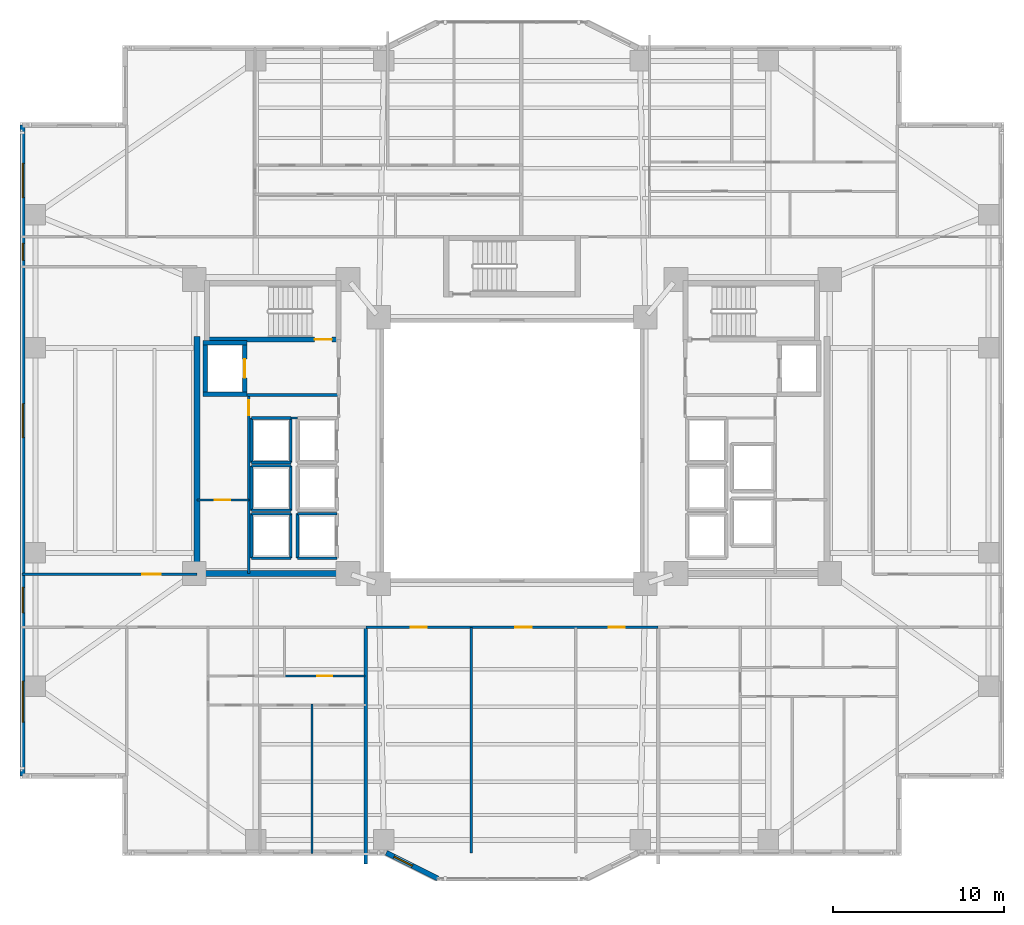
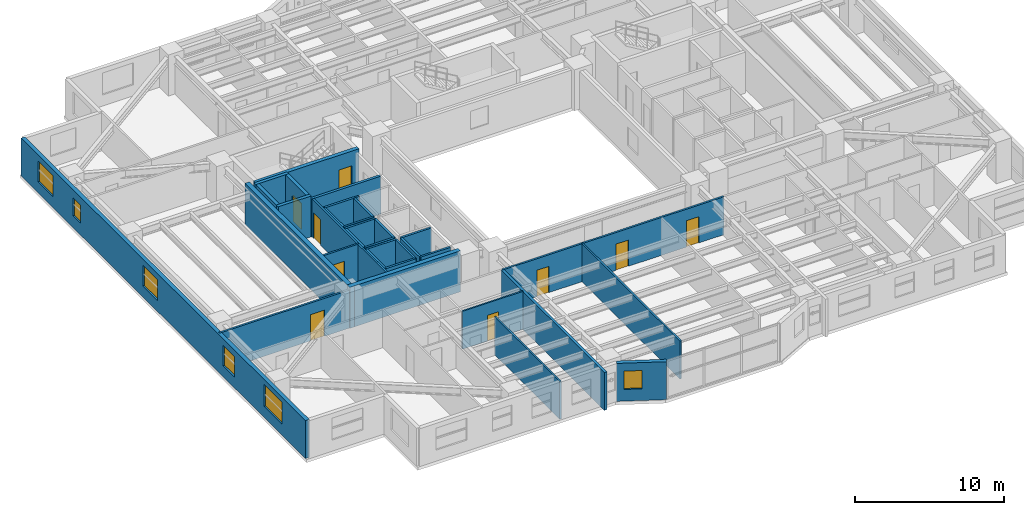
# One storey, part 10 of 20: 34 walls, 9 doors, 6 windows, 15 openings.
"""IFC4 building model written with IfcOpenShell, lengths in metres."""

from ifc_helpers import new_model, si_unit, direction, frame, frame_2d, origin, place, context, subcontext, project, spatial, rectangle, extrude, material, layer, layer_set, type_object, element, fill, save


model = new_model("IFC4")

# Units and contexts
model_context = context("Model", 3, precision=1e-05, world=origin(), true_north=direction((0.0, 1.0)))
body_context = subcontext(model_context, "Body", "Model", "MODEL_VIEW")
ifc_project = project(units=[si_unit("LENGTHUNIT", "METRE"), si_unit("AREAUNIT", "SQUARE_METRE"), si_unit("VOLUMEUNIT", "CUBIC_METRE"), si_unit("PLANEANGLEUNIT", "RADIAN"), si_unit("MASSUNIT", "GRAM", prefix="KILO")], contexts=[model_context])

# Site, building, storey
site_placement = place(None, origin())
site = spatial("IfcSite", under=ifc_project, at=site_placement, CompositionType="ELEMENT")
building_placement = place(site_placement, origin())
building = spatial("IfcBuilding", under=site, at=building_placement, Name="Tarnavaz Court Tower", CompositionType="ELEMENT")
storey_placement = place(building_placement, frame((0.0, 0.0, 30.699951171875)))
storey = spatial("IfcBuildingStorey", under=building, at=storey_placement, Name="L07", CompositionType="ELEMENT", Elevation=30.699951171875)

# Wall
ifc_material_1 = material(Name="Concrete C60/75", Category="concrete")
ifc_layer_1 = layer(ifc_material_1, 0.25)
ifc_layer_set_1 = layer_set([ifc_layer_1], Name="Concrete C60/75")
wall_type_1 = type_object("IfcWallType", Name="WL-CORE-250-C60", PredefinedType="SHEAR", material=ifc_layer_set_1)
wall_1_placement = place(storey_placement, frame((-17.949951171875, 3.175048828125, 0.0), z_axis=(0.0, 0.0, 1.0), x_axis=(0.0, 1.0, 0.0)))
element("IfcWall", 1, at=wall_1_placement, inside=storey, type_object=wall_type_1, Name="L07 Lift FL-W1 Shaft Wall 017", PredefinedType="SHEAR", context=body_context, shape_type="SweptSolid", body=[
    extrude(rectangle(XDim=3.25, YDim=0.25, at=frame_2d((1.625, 0.0))), origin(), (0.0, 0.0, 1.0), 3.35009765625),
])

# Wall, opening, door
wall_2_placement = place(storey_placement, frame((-15.64990234375, 3.175048828125, 0.0), z_axis=(0.0, 0.0, 1.0), x_axis=(0.0, 1.0, 0.0)))
wall_2 = element("IfcWall", 2, at=wall_2_placement, inside=storey, type_object=wall_type_1, Name="L07 Lift FL-W1 Shaft Wall 018", PredefinedType="SHEAR", context=body_context, shape_type="SweptSolid", body=[
    extrude(rectangle(XDim=3.25, YDim=0.25, at=frame_2d((1.625, 0.0))), origin(), (0.0, 0.0, 1.0), 3.35009765625),
])
opening_1_placement = place(wall_2_placement, frame((1.074951171875, 0.0, 0.0)))
opening_1 = element("IfcOpeningElement", 3, at=opening_1_placement, cuts=wall_2, Name="Opening LD1", PredefinedType="OPENING", context=body_context, shape_type="SweptSolid", body=[
    extrude(rectangle(XDim=1.10009765625, YDim=2.14990234375, at=frame_2d((0.550048828125, 1.074951171875))), frame((0.0, 0.135009765625, 0.0), z_axis=(0.0, -1.0, 0.0), x_axis=(1.0, 0.0, 0.0)), (0.0, 0.0, 1.0), 0.27001953125),
])
ifc_material_2 = material(Name="Stainless Steel", Category="steel")
door_type_1 = type_object("IfcDoorType", Name="DR-LD-1100", OperationType="NOTDEFINED", PredefinedType="DOOR", material=ifc_material_2)
door_1_placement = place(opening_1_placement, origin())
door_1 = element("IfcDoor", 4, at=door_1_placement, inside=storey, type_object=door_type_1, Name="L07 Lift Landing Door LD-FL-W1", OperationType="SLIDING_TO_LEFT", OverallHeight=2.14990234375, OverallWidth=1.10009765625, PredefinedType="DOOR", context=body_context, shape_type="SweptSolid", body=[
    extrude(rectangle(XDim=1.10009765625, YDim=2.14990234375, at=frame_2d((0.550048828125, 1.074951171875))), frame((0.0, 0.02490234375, 0.0), z_axis=(0.0, -1.0, 0.0), x_axis=(1.0, 0.0, 0.0)), (0.0, 0.0, 1.0), 0.050048828125),
])
fill(opening_1, door_1)

# Walls
for number, where, z_axis, x_axis, name in (
    (5, (-18.074951171875, 3.300048828125, 0.0), (0.0, 0.0, 1.0), (1.0, 0.0, 0.0), "L07 Lift FL-W1 Shaft Wall 019"),
    (6, (-18.074951171875, 6.300048828125, 0.0), (0.0, 0.0, 1.0), (1.0, 0.0, 0.0), "L07 Lift FL-W1 Shaft Wall 020"),
):
    element("IfcWall", number, at=place(storey_placement, frame(where, z_axis=z_axis, x_axis=x_axis)), inside=storey, type_object=wall_type_1, Name=name, PredefinedType="SHEAR", context=body_context, shape_type="SweptSolid", body=[
        extrude(rectangle(XDim=2.550048828125, YDim=0.25, at=frame_2d((1.27490234375, 0.0))), origin(), (0.0, 0.0, 1.0), 3.35009765625),
    ])

# Wall, opening, door
ifc_layer_2 = layer(ifc_material_1, 0.300048828125)
ifc_layer_set_2 = layer_set([ifc_layer_2], Name="Concrete C60/75")
wall_type_2 = type_object("IfcWallType", Name="WL-CORE-300-C60", PredefinedType="SHEAR", material=ifc_layer_set_2)
wall_3_placement = place(storey_placement, frame((-18.0, 6.5, 0.0), z_axis=(0.0, 0.0, 1.0), x_axis=(1.0, 0.0, 0.0)))
wall_3 = element("IfcWall", 7, at=wall_3_placement, inside=storey, type_object=wall_type_2, Name="L07 West Stair Core Wall 002", PredefinedType="SHEAR", context=body_context, shape_type="SweptSolid", body=[
    extrude(rectangle(XDim=8.0, YDim=0.300048828125, at=frame_2d((4.0, 0.0))), origin(), (0.0, 0.0, 1.0), 3.35009765625),
])
opening_2_placement = place(wall_3_placement, frame((6.449951171875, 0.0, 0.0)))
opening_2 = element("IfcOpeningElement", 8, at=opening_2_placement, cuts=wall_3, Name="Opening D01", PredefinedType="OPENING", context=body_context, shape_type="SweptSolid", body=[
    extrude(rectangle(XDim=1.0, YDim=2.14990234375, at=frame_2d((0.5, 1.074951171875))), frame((0.0, 0.159912109375, 0.0), z_axis=(0.0, -1.0, 0.0), x_axis=(1.0, 0.0, 0.0)), (0.0, 0.0, 1.0), 0.320068359375),
])
ifc_material_3 = material(Name="Fire-Rated Hardwood Timber Core", Category="wood")
door_type_2 = type_object("IfcDoorType", Name="DR-FD90-1000", OperationType="NOTDEFINED", PredefinedType="DOOR", material=ifc_material_3)
door_2_placement = place(opening_2_placement, origin())
door_2 = element("IfcDoor", 9, at=door_2_placement, inside=storey, type_object=door_type_2, Name="L07 Stair ST-W1 Exit Door", OperationType="SINGLE_SWING_LEFT", OverallHeight=2.14990234375, OverallWidth=1.0, PredefinedType="DOOR", context=body_context, shape_type="SweptSolid", body=[
    extrude(rectangle(XDim=1.0, YDim=2.14990234375, at=frame_2d((0.5, 1.074951171875))), frame((0.0, 0.02490234375, 0.0), z_axis=(0.0, -1.0, 0.0), x_axis=(1.0, 0.0, 0.0)), (0.0, 0.0, 1.0), 0.050048828125),
])
fill(opening_2, door_2)

# Walls
ifc_layer_3 = layer(ifc_material_1, 0.35009765625)
ifc_layer_set_3 = layer_set([ifc_layer_3], Name="Concrete C60/75")
wall_type_3 = type_object("IfcWallType", Name="WL-CORE-350-C60", PredefinedType="SHEAR", material=ifc_layer_set_3)
wall_4_placement = place(storey_placement, frame((-18.449951171875, -7.375, 0.0), z_axis=(0.0, 0.0, 1.0), x_axis=(0.0, 1.0, 0.0)))
element("IfcWall", 10, at=wall_4_placement, inside=storey, type_object=wall_type_3, Name="L07 West Core Shear Wall 069", PredefinedType="SHEAR", context=body_context, shape_type="SweptSolid", body=[
    extrude(rectangle(XDim=14.050048828125, YDim=0.35009765625, at=frame_2d((7.02490234375, 0.0))), origin(), (0.0, 0.0, 1.0), 3.35009765625),
])
wall_5_placement = place(storey_placement, frame((-18.625, -7.199951171875, 0.0), z_axis=(0.0, 0.0, 1.0), x_axis=(1.0, 0.0, 0.0)))
element("IfcWall", 11, at=wall_5_placement, inside=storey, type_object=wall_type_3, Name="L07 West Core South Shear Wall 070", PredefinedType="SHEAR", context=body_context, shape_type="SweptSolid", body=[
    extrude(rectangle(XDim=8.550048828125, YDim=0.35009765625, at=frame_2d((4.27490234375, 0.0))), origin(), (0.0, 0.0, 1.0), 3.35009765625),
])

# Wall, openings, windows
ifc_material_4 = material(Name="Precast Concrete C40/50", Category="concrete")
ifc_layer_4 = layer(ifc_material_4, 0.300048828125)
ifc_layer_set_4 = layer_set([ifc_layer_4], Name="Precast Concrete C40/50")
wall_type_4 = type_object("IfcWallType", Name="WL-EXT-300", PredefinedType="SOLIDWALL", material=ifc_layer_set_4)
wall_6_placement = place(storey_placement, frame((-28.64990234375, -19.050048828125, 0.0), z_axis=(0.0, 0.0, 1.0), x_axis=(0.0, 1.0, 0.0)))
wall_6 = element("IfcWall", 12, at=wall_6_placement, inside=storey, type_object=wall_type_4, Name="L07 Exterior Terracotta Facade Wall 02", PredefinedType="SOLIDWALL", context=body_context, shape_type="SweptSolid", body=[
    extrude(rectangle(XDim=38.10009765625, YDim=0.300048828125, at=frame_2d((19.050048828125, 0.0))), origin(), (0.0, 0.0, 1.0), 3.10009765625),
])
opening_3_placement = place(wall_6_placement, frame((3.14990234375, 0.0, 0.89990234375)))
opening_3 = element("IfcOpeningElement", 13, at=opening_3_placement, cuts=wall_6, Name="Opening W06", PredefinedType="OPENING", context=body_context, shape_type="SweptSolid", body=[
    extrude(rectangle(XDim=2.39990234375, YDim=1.800048828125, at=frame_2d((1.199951171875, 0.89990234375))), frame((0.0, 0.159912109375, 0.0), z_axis=(0.0, -1.0, 0.0), x_axis=(1.0, 0.0, 0.0)), (0.0, 0.0, 1.0), 0.320068359375),
])
opening_4_placement = place(wall_6_placement, frame((9.54248046875, 0.0, 0.89990234375)))
opening_4 = element("IfcOpeningElement", 14, at=opening_4_placement, cuts=wall_6, Name="Opening W03", PredefinedType="OPENING", context=body_context, shape_type="SweptSolid", body=[
    extrude(rectangle(XDim=1.5, YDim=1.64990234375, at=frame_2d((0.75, 0.824951171875))), frame((0.0, 0.159912109375, 0.0), z_axis=(0.0, -1.0, 0.0), x_axis=(1.0, 0.0, 0.0)), (0.0, 0.0, 1.0), 0.320068359375),
])
opening_5_placement = place(wall_6_placement, frame((19.800048828125, 0.0, 0.89990234375)))
opening_5 = element("IfcOpeningElement", 15, at=opening_5_placement, cuts=wall_6, Name="Opening W08", PredefinedType="OPENING", context=body_context, shape_type="SweptSolid", body=[
    extrude(rectangle(XDim=2.0, YDim=1.699951171875, at=frame_2d((1.0, 0.85009765625))), frame((0.0, 0.159912109375, 0.0), z_axis=(0.0, -1.0, 0.0), x_axis=(1.0, 0.0, 0.0)), (0.0, 0.0, 1.0), 0.320068359375),
])
opening_6_placement = place(wall_6_placement, frame((30.175048828125, 0.0, 0.949951171875)))
opening_6 = element("IfcOpeningElement", 16, at=opening_6_placement, cuts=wall_6, Name="Opening W14", PredefinedType="OPENING", context=body_context, shape_type="SweptSolid", body=[
    extrude(rectangle(XDim=1.0, YDim=1.5, at=frame_2d((0.5, 0.75))), frame((0.0, 0.159912109375, 0.0), z_axis=(0.0, -1.0, 0.0), x_axis=(1.0, 0.0, 0.0)), (0.0, 0.0, 1.0), 0.320068359375),
])
opening_7_placement = place(wall_6_placement, frame((33.85009765625, 0.0, 0.89990234375)))
opening_7 = element("IfcOpeningElement", 17, at=opening_7_placement, cuts=wall_6, Name="Opening W08", PredefinedType="OPENING", context=body_context, shape_type="SweptSolid", body=[
    extrude(rectangle(XDim=2.0, YDim=1.699951171875, at=frame_2d((1.0, 0.85009765625))), frame((0.0, 0.159912109375, 0.0), z_axis=(0.0, -1.0, 0.0), x_axis=(1.0, 0.0, 0.0)), (0.0, 0.0, 1.0), 0.320068359375),
])
ifc_material_5 = material(Name="Double-Glazed Solar Low-E Glass", Category="glass")
window_type_1 = type_object("IfcWindowType", Name="WN-APT-1000", PartitioningType="SINGLE_PANEL", PredefinedType="WINDOW", material=ifc_material_5)
window_1_placement = place(opening_6_placement, origin())
window_1 = element("IfcWindow", 18, at=window_1_placement, inside=storey, type_object=window_type_1, Name="L07 North-West Corner Corridor Window", OverallHeight=1.5, OverallWidth=1.0, PartitioningType="SINGLE_PANEL", PredefinedType="WINDOW", context=body_context, shape_type="SweptSolid", body=[
    extrude(rectangle(XDim=1.0, YDim=1.5, at=frame_2d((0.5, 0.75))), frame((0.0, 0.030029296875, 0.0), z_axis=(0.0, -1.0, 0.0), x_axis=(1.0, 0.0, 0.0)), (0.0, 0.0, 1.0), 0.06005859375),
])
fill(opening_6, window_1)
window_type_2 = type_object("IfcWindowType", Name="WN-APT-1500", PartitioningType="DOUBLE_PANEL_VERTICAL", PredefinedType="WINDOW", material=ifc_material_5)
window_2_placement = place(opening_4_placement, origin())
window_2 = element("IfcWindow", 19, at=window_2_placement, inside=storey, type_object=window_type_2, Name="L07 South-West Corner Corridor Window", OverallHeight=1.64990234375, OverallWidth=1.5, PartitioningType="SINGLE_PANEL", PredefinedType="WINDOW", context=body_context, shape_type="SweptSolid", body=[
    extrude(rectangle(XDim=1.5, YDim=1.64990234375, at=frame_2d((0.75, 0.824951171875))), frame((0.0, 0.030029296875, 0.0), z_axis=(0.0, -1.0, 0.0), x_axis=(1.0, 0.0, 0.0)), (0.0, 0.0, 1.0), 0.06005859375),
])
fill(opening_4, window_2)
window_type_3 = type_object("IfcWindowType", Name="WN-APT-2000", PartitioningType="DOUBLE_PANEL_VERTICAL", PredefinedType="WINDOW", material=ifc_material_5)
window_3_placement = place(opening_5_placement, origin())
window_3 = element("IfcWindow", 20, at=window_3_placement, inside=storey, type_object=window_type_3, Name="L07 West Wing Panoramic Study Gallery Window", OverallHeight=1.699951171875, OverallWidth=2.0, PartitioningType="SINGLE_PANEL", PredefinedType="WINDOW", context=body_context, shape_type="SweptSolid", body=[
    extrude(rectangle(XDim=2.0, YDim=1.699951171875, at=frame_2d((1.0, 0.85009765625))), frame((0.0, 0.030029296875, 0.0), z_axis=(0.0, -1.0, 0.0), x_axis=(1.0, 0.0, 0.0)), (0.0, 0.0, 1.0), 0.06005859375),
])
fill(opening_5, window_3)
window_4_placement = place(opening_7_placement, origin())
window_4 = element("IfcWindow", 21, at=window_4_placement, inside=storey, type_object=window_type_3, Name="L07 North-West Corner Sunroom Study Window", OverallHeight=1.699951171875, OverallWidth=2.0, PartitioningType="SINGLE_PANEL", PredefinedType="WINDOW", context=body_context, shape_type="SweptSolid", body=[
    extrude(rectangle(XDim=2.0, YDim=1.699951171875, at=frame_2d((1.0, 0.85009765625))), frame((0.0, 0.030029296875, 0.0), z_axis=(0.0, -1.0, 0.0), x_axis=(1.0, 0.0, 0.0)), (0.0, 0.0, 1.0), 0.06005859375),
])
fill(opening_7, window_4)
window_type_4 = type_object("IfcWindowType", Name="WN-APT-2400", PartitioningType="TRIPLE_PANEL_VERTICAL", PredefinedType="WINDOW", material=ifc_material_5)
window_5_placement = place(opening_3_placement, origin())
window_5 = element("IfcWindow", 22, at=window_5_placement, inside=storey, type_object=window_type_4, Name="L07 South-West Corner Reading Room Window", OverallHeight=1.800048828125, OverallWidth=2.39990234375, PartitioningType="SINGLE_PANEL", PredefinedType="WINDOW", context=body_context, shape_type="SweptSolid", body=[
    extrude(rectangle(XDim=2.39990234375, YDim=1.800048828125, at=frame_2d((1.199951171875, 0.89990234375))), frame((0.0, 0.030029296875, 0.0), z_axis=(0.0, -1.0, 0.0), x_axis=(1.0, 0.0, 0.0)), (0.0, 0.0, 1.0), 0.06005859375),
])
fill(opening_3, window_5)

# Wall, opening, window
wall_7_placement = place(storey_placement, frame((-4.35009765625, -25.050048828125, 0.0), z_axis=(0.0, 0.0, 1.0), x_axis=(-0.894427191, 0.4472135955, 0.0)))
wall_7 = element("IfcWall", 23, at=wall_7_placement, inside=storey, type_object=wall_type_4, Name="L07 Exterior Terracotta Facade Wall 18", PredefinedType="SOLIDWALL", context=body_context, shape_type="SweptSolid", body=[
    extrude(rectangle(XDim=3.35400390625, YDim=0.300048828125, at=frame_2d((1.677001953125, 0.0))), origin(), (0.0, 0.0, 1.0), 3.10009765625),
])
opening_8_placement = place(wall_7_placement, frame((1.65283203125, 0.0, 0.949951171875)))
opening_8 = element("IfcOpeningElement", 24, at=opening_8_placement, cuts=wall_7, Name="Opening W05", PredefinedType="OPENING", context=body_context, shape_type="SweptSolid", body=[
    extrude(rectangle(XDim=1.199951171875, YDim=1.5, at=frame_2d((0.60009765625, 0.75))), frame((0.0, 0.159912109375, 0.0), z_axis=(0.0, -1.0, 0.0), x_axis=(1.0, 0.0, 0.0)), (0.0, 0.0, 1.0), 0.320068359375),
])
window_type_5 = type_object("IfcWindowType", Name="WN-APT-1200", PartitioningType="SINGLE_PANEL", PredefinedType="WINDOW", material=ifc_material_5)
window_6_placement = place(opening_8_placement, origin())
window_6 = element("IfcWindow", 25, at=window_6_placement, inside=storey, type_object=window_type_5, Name="L07 Resident Fitness and Yoga Studio Window", OverallHeight=1.5, OverallWidth=1.199951171875, PartitioningType="SINGLE_PANEL", PredefinedType="WINDOW", context=body_context, shape_type="SweptSolid", body=[
    extrude(rectangle(XDim=1.199951171875, YDim=1.5, at=frame_2d((0.60009765625, 0.75))), frame((0.0, 0.030029296875, 0.0), z_axis=(0.0, -1.0, 0.0), x_axis=(1.0, 0.0, 0.0)), (0.0, 0.0, 1.0), 0.06005859375),
])
fill(opening_8, window_6)

# Wall, openings, doors
ifc_material_6 = material(Name="Gypsum Fire-Board on Acoustic Metal Stud", Category="masonry")
ifc_layer_5 = layer(ifc_material_6, 0.14990234375)
ifc_layer_set_5 = layer_set([ifc_layer_5], Name="Gypsum Fire-Board on Acoustic Metal Stud")
wall_type_5 = type_object("IfcWallType", Name="WL-FIRE-150", PredefinedType="PARTITIONING", material=ifc_layer_set_5)
wall_8_placement = place(storey_placement, frame((-8.550048828125, -10.35009765625, 0.0), z_axis=(0.0, 0.0, 1.0), x_axis=(1.0, 0.0, 0.0)))
wall_8 = element("IfcWall", 26, at=wall_8_placement, inside=storey, type_object=wall_type_5, Name="L07 South Ring Corridor Wall 085", PredefinedType="PARTITIONING", context=body_context, shape_type="SweptSolid", body=[
    extrude(rectangle(XDim=17.10009765625, YDim=0.14990234375, at=frame_2d((8.550048828125, 0.0))), origin(), (0.0, 0.0, 1.0), 3.10009765625),
])
opening_9_placement = place(wall_8_placement, frame((2.617919921875, 0.0, 0.0)))
opening_9 = element("IfcOpeningElement", 27, at=opening_9_placement, cuts=wall_8, Name="Opening D13", PredefinedType="OPENING", context=body_context, shape_type="SweptSolid", body=[
    extrude(rectangle(XDim=0.949951171875, YDim=2.14990234375, at=frame_2d((0.47509765625, 1.074951171875))), frame((0.0, 0.0849609375, 0.0), z_axis=(0.0, -1.0, 0.0), x_axis=(1.0, 0.0, 0.0)), (0.0, 0.0, 1.0), 0.169921875),
])
opening_10_placement = place(wall_8_placement, frame((8.75390625, 0.0, 0.0)))
opening_10 = element("IfcOpeningElement", 28, at=opening_10_placement, cuts=wall_8, Name="Opening D13", PredefinedType="OPENING", context=body_context, shape_type="SweptSolid", body=[
    extrude(rectangle(XDim=0.949951171875, YDim=2.14990234375, at=frame_2d((0.47509765625, 1.074951171875))), frame((0.0, 0.0849609375, 0.0), z_axis=(0.0, -1.0, 0.0), x_axis=(1.0, 0.0, 0.0)), (0.0, 0.0, 1.0), 0.169921875),
])
opening_11_placement = place(wall_8_placement, frame((14.2109375, 0.0, 0.0)))
opening_11 = element("IfcOpeningElement", 29, at=opening_11_placement, cuts=wall_8, Name="Opening D13", PredefinedType="OPENING", context=body_context, shape_type="SweptSolid", body=[
    extrude(rectangle(XDim=0.949951171875, YDim=2.14990234375, at=frame_2d((0.47509765625, 1.074951171875))), frame((0.0, 0.0849609375, 0.0), z_axis=(0.0, -1.0, 0.0), x_axis=(1.0, 0.0, 0.0)), (0.0, 0.0, 1.0), 0.169921875),
])
ifc_material_7 = material(Name="Engineered Oak Timber", Category="wood")
door_type_3 = type_object("IfcDoorType", Name="DR-INT-950", OperationType="NOTDEFINED", PredefinedType="DOOR", material=ifc_material_7)
door_3_placement = place(opening_9_placement, origin())
door_3 = element("IfcDoor", 30, at=door_3_placement, inside=storey, type_object=door_type_3, Name="L07 Resident Fitness and Yoga Studio Door", OperationType="SINGLE_SWING_RIGHT", OverallHeight=2.14990234375, OverallWidth=0.949951171875, PredefinedType="DOOR", context=body_context, shape_type="SweptSolid", body=[
    extrude(rectangle(XDim=0.949951171875, YDim=2.14990234375, at=frame_2d((0.47509765625, 1.074951171875))), frame((0.0, 0.02490234375, 0.0), z_axis=(0.0, -1.0, 0.0), x_axis=(1.0, 0.0, 0.0)), (0.0, 0.0, 1.0), 0.050048828125),
])
fill(opening_9, door_3)
door_4_placement = place(opening_10_placement, origin())
door_4 = element("IfcDoor", 31, at=door_4_placement, inside=storey, type_object=door_type_3, Name="L07 Children Playroom and Daycare Door", OperationType="SINGLE_SWING_LEFT", OverallHeight=2.14990234375, OverallWidth=0.949951171875, PredefinedType="DOOR", context=body_context, shape_type="SweptSolid", body=[
    extrude(rectangle(XDim=0.949951171875, YDim=2.14990234375, at=frame_2d((0.47509765625, 1.074951171875))), frame((0.0, 0.02490234375, 0.0), z_axis=(0.0, -1.0, 0.0), x_axis=(1.0, 0.0, 0.0)), (0.0, 0.0, 1.0), 0.050048828125),
])
fill(opening_10, door_4)
door_5_placement = place(opening_11_placement, origin())
door_5 = element("IfcDoor", 32, at=door_5_placement, inside=storey, type_object=door_type_3, Name="L07 Shared Community Tea Pantry Door", OperationType="SINGLE_SWING_RIGHT", OverallHeight=2.14990234375, OverallWidth=0.949951171875, PredefinedType="DOOR", context=body_context, shape_type="SweptSolid", body=[
    extrude(rectangle(XDim=0.949951171875, YDim=2.14990234375, at=frame_2d((0.47509765625, 1.074951171875))), frame((0.0, 0.02490234375, 0.0), z_axis=(0.0, -1.0, 0.0), x_axis=(1.0, 0.0, 0.0)), (0.0, 0.0, 1.0), 0.050048828125),
])
fill(opening_11, door_5)

# Wall, opening, door
wall_9_placement = place(storey_placement, frame((-28.679931640625, -7.25, 0.0), z_axis=(0.0, 0.0, 1.0), x_axis=(1.0, 0.0, 0.0)))
wall_9 = element("IfcWall", 33, at=wall_9_placement, inside=storey, type_object=wall_type_5, Name="L07 Interior Partition 121", PredefinedType="PARTITIONING", context=body_context, shape_type="SweptSolid", body=[
    extrude(rectangle(XDim=10.22998046875, YDim=0.14990234375, at=frame_2d((5.114990234375, 0.0))), origin(), (0.0, 0.0, 1.0), 3.10009765625),
])
opening_12_placement = place(wall_9_placement, frame((7.030029296875, 0.0, 0.0)))
opening_12 = element("IfcOpeningElement", 34, at=opening_12_placement, cuts=wall_9, Name="Opening D12", PredefinedType="OPENING", context=body_context, shape_type="SweptSolid", body=[
    extrude(rectangle(XDim=1.080078125, YDim=2.14990234375, at=frame_2d((0.5400390625, 1.074951171875))), frame((0.0, 0.0849609375, 0.0), z_axis=(0.0, -1.0, 0.0), x_axis=(1.0, 0.0, 0.0)), (0.0, 0.0, 1.0), 0.169921875),
])
door_type_4 = type_object("IfcDoorType", Name="DR-INT-1100", OperationType="NOTDEFINED", PredefinedType="DOOR", material=ifc_material_7)
door_6_placement = place(opening_12_placement, origin())
door_6 = element("IfcDoor", 35, at=door_6_placement, inside=storey, type_object=door_type_4, Name="L07 West Study Gallery Door", OperationType="SINGLE_SWING_LEFT", OverallHeight=2.14990234375, OverallWidth=1.080078125, PredefinedType="DOOR", context=body_context, shape_type="SweptSolid", body=[
    extrude(rectangle(XDim=1.080078125, YDim=2.14990234375, at=frame_2d((0.5400390625, 1.074951171875))), frame((0.0, 0.02490234375, 0.0), z_axis=(0.0, -1.0, 0.0), x_axis=(1.0, 0.0, 0.0)), (0.0, 0.0, 1.0), 0.050048828125),
])
fill(opening_12, door_6)

# Walls
ifc_material_8 = material(Name="Autoclaved Aerated Concrete Blockwork", Category="masonry")
ifc_layer_6 = layer(ifc_material_8, 0.199951171875)
ifc_layer_set_6 = layer_set([ifc_layer_6], Name="Autoclaved Aerated Concrete Blockwork")
wall_type_6 = type_object("IfcWallType", Name="WL-FIRE-200", PredefinedType="SOLIDWALL", material=ifc_layer_set_6)
wall_10_placement = place(storey_placement, frame((-15.550048828125, 3.25, 0.0), z_axis=(0.0, 0.0, 1.0), x_axis=(1.0, 0.0, 0.0)))
element("IfcWall", 36, at=wall_10_placement, inside=storey, type_object=wall_type_6, Name="L07 West Firefighting Lobby Wall 013", PredefinedType="SOLIDWALL", context=body_context, shape_type="SweptSolid", body=[
    extrude(rectangle(XDim=5.400146484375, YDim=0.199951171875, at=frame_2d((2.7001953125, 0.0))), origin(), (0.0, 0.0, 1.0), 3.10009765625),
])
wall_11_placement = place(storey_placement, frame((-8.550048828125, -24.2041015625, 0.0), z_axis=(0.0, 0.0, 1.0), x_axis=(0.0, 1.0, 0.0)))
element("IfcWall", 37, at=wall_11_placement, inside=storey, type_object=wall_type_6, Name="L07 Party Wall 117", PredefinedType="SOLIDWALL", context=body_context, shape_type="SweptSolid", body=[
    extrude(rectangle(XDim=13.85400390625, YDim=0.199951171875, at=frame_2d((6.927001953125, 0.0))), origin(), (0.0, 0.0, 1.0), 3.10009765625),
])

# Wall, opening, door
ifc_material_9 = material(Name="Moisture-Resistant Gypsum Board Partition", Category="masonry")
ifc_layer_7 = layer(ifc_material_9, 0.1201171875)
ifc_layer_set_7 = layer_set([ifc_layer_7], Name="Moisture-Resistant Gypsum Board Partition")
wall_type_7 = type_object("IfcWallType", Name="WL-PART-120", PredefinedType="PARTITIONING", material=ifc_layer_set_7)
wall_12_placement = place(storey_placement, frame((-13.31494140625, -13.199951171875, 0.0), z_axis=(0.0, 0.0, 1.0), x_axis=(1.0, 0.0, 0.0)))
wall_12 = element("IfcWall", 38, at=wall_12_placement, inside=storey, type_object=wall_type_7, Name="L07 Interior Partition 105", PredefinedType="PARTITIONING", context=body_context, shape_type="SweptSolid", body=[
    extrude(rectangle(XDim=4.71484375, YDim=0.1201171875, at=frame_2d((2.357421875, 0.0))), origin(), (0.0, 0.0, 1.0), 3.10009765625),
])
opening_13_placement = place(wall_12_placement, frame((1.9169921875, 0.0, 0.0)))
opening_13 = element("IfcOpeningElement", 39, at=opening_13_placement, cuts=wall_12, Name="Opening D14", PredefinedType="OPENING", context=body_context, shape_type="SweptSolid", body=[
    extrude(rectangle(XDim=0.8798828125, YDim=2.10009765625, at=frame_2d((0.43994140625, 1.050048828125))), frame((0.0, 0.070068359375, 0.0), z_axis=(0.0, -1.0, 0.0), x_axis=(1.0, 0.0, 0.0)), (0.0, 0.0, 1.0), 0.14013671875),
])
door_type_5 = type_object("IfcDoorType", Name="DR-INT-900", OperationType="NOTDEFINED", PredefinedType="DOOR", material=ifc_material_7)
door_7_placement = place(opening_13_placement, origin())
door_7 = element("IfcDoor", 40, at=door_7_placement, inside=storey, type_object=door_type_5, Name="L07 Flat 03 Bathroom Door", OperationType="SINGLE_SWING_LEFT", OverallHeight=2.10009765625, OverallWidth=0.8798828125, PredefinedType="DOOR", context=body_context, shape_type="SweptSolid", body=[
    extrude(rectangle(XDim=0.8798828125, YDim=2.10009765625, at=frame_2d((0.43994140625, 1.050048828125))), frame((0.0, 0.02490234375, 0.0), z_axis=(0.0, -1.0, 0.0), x_axis=(1.0, 0.0, 0.0)), (0.0, 0.0, 1.0), 0.050048828125),
])
fill(opening_13, door_7)

# Walls
wall_13_placement = place(storey_placement, frame((-11.702880859375, -23.60009765625, 0.0), z_axis=(0.0, 0.0, 1.0), x_axis=(0.0, 1.0, 0.0)))
element("IfcWall", 41, at=wall_13_placement, inside=storey, type_object=wall_type_7, Name="L07 Interior Partition 109", PredefinedType="PARTITIONING", context=body_context, shape_type="SweptSolid", body=[
    extrude(rectangle(XDim=8.75, YDim=0.1201171875, at=frame_2d((4.375, 0.0))), origin(), (0.0, 0.0, 1.0), 3.10009765625),
])
ifc_material_10 = material(Name="Gypsum Plasterboard Acoustic Partition", Category="masonry")
ifc_layer_8 = layer(ifc_material_10, 0.139892578125)
ifc_layer_set_8 = layer_set([ifc_layer_8], Name="Gypsum Plasterboard Acoustic Partition")
wall_type_8 = type_object("IfcWallType", Name="WL-PART-150", PredefinedType="PARTITIONING", material=ifc_layer_set_8)
wall_14_placement = place(storey_placement, frame((-12.949951171875, 1.89990234375, 0.0), z_axis=(0.0, 0.0, 1.0), x_axis=(1.0, 0.0, 0.0)))
element("IfcWall", 42, at=wall_14_placement, inside=storey, type_object=wall_type_8, Name="L07 Interior Partition 073", PredefinedType="PARTITIONING", context=body_context, shape_type="SweptSolid", body=[
    extrude(rectangle(XDim=0.39990234375, YDim=0.139892578125, at=frame_2d((0.199951171875, 0.0))), origin(), (0.0, 0.0, 1.0), 3.10009765625),
])

# Wall, opening, door
wall_15_placement = place(storey_placement, frame((-15.39990234375, -7.199951171875, 0.0), z_axis=(0.0, 0.0, 1.0), x_axis=(0.0, 1.0, 0.0)))
wall_15 = element("IfcWall", 43, at=wall_15_placement, inside=storey, type_object=wall_type_8, Name="L07 Interior Partition 075", PredefinedType="PARTITIONING", context=body_context, shape_type="SweptSolid", body=[
    extrude(rectangle(XDim=10.449951171875, YDim=0.139892578125, at=frame_2d((5.22509765625, 0.0))), origin(), (0.0, 0.0, 1.0), 3.10009765625),
])
opening_14_placement = place(wall_15_placement, frame((9.25, 0.0, 0.0)))
opening_14 = element("IfcOpeningElement", 44, at=opening_14_placement, cuts=wall_15, Name="Opening D09", PredefinedType="OPENING", context=body_context, shape_type="SweptSolid", body=[
    extrude(rectangle(XDim=0.89990234375, YDim=2.080078125, at=frame_2d((0.449951171875, 1.0400390625))), frame((0.0, 0.079833984375, 0.0), z_axis=(0.0, -1.0, 0.0), x_axis=(1.0, 0.0, 0.0)), (0.0, 0.0, 1.0), 0.159912109375),
])
door_type_6 = type_object("IfcDoorType", Name="DR-FD30-900", OperationType="NOTDEFINED", PredefinedType="DOOR", material=ifc_material_3)
door_8_placement = place(opening_14_placement, origin())
door_8 = element("IfcDoor", 45, at=door_8_placement, inside=storey, type_object=door_type_6, Name="L07 West Valve Room Door", OperationType="SINGLE_SWING_RIGHT", OverallHeight=2.080078125, OverallWidth=0.89990234375, PredefinedType="DOOR", context=body_context, shape_type="SweptSolid", body=[
    extrude(rectangle(XDim=0.89990234375, YDim=2.080078125, at=frame_2d((0.449951171875, 1.0400390625))), frame((0.0, 0.02490234375, 0.0), z_axis=(0.0, -1.0, 0.0), x_axis=(1.0, 0.0, 0.0)), (0.0, 0.0, 1.0), 0.050048828125),
])
fill(opening_14, door_8)

wall_16_placement = place(storey_placement, frame((-18.449951171875, -2.89990234375, 0.0), z_axis=(0.0, 0.0, 1.0), x_axis=(1.0, 0.0, 0.0)))
wall_16 = element("IfcWall", 46, at=wall_16_placement, inside=storey, type_object=wall_type_8, Name="L07 Interior Partition 076", PredefinedType="PARTITIONING", context=body_context, shape_type="SweptSolid", body=[
    extrude(rectangle(XDim=3.050048828125, YDim=0.139892578125, at=frame_2d((1.52490234375, 0.0))), origin(), (0.0, 0.0, 1.0), 3.10009765625),
])
opening_15_placement = place(wall_16_placement, frame((1.050048828125, 0.0, 0.0)))
opening_15 = element("IfcOpeningElement", 47, at=opening_15_placement, cuts=wall_16, Name="Opening D09", PredefinedType="OPENING", context=body_context, shape_type="SweptSolid", body=[
    extrude(rectangle(XDim=0.89990234375, YDim=2.080078125, at=frame_2d((0.449951171875, 1.0400390625))), frame((0.0, 0.079833984375, 0.0), z_axis=(0.0, -1.0, 0.0), x_axis=(1.0, 0.0, 0.0)), (0.0, 0.0, 1.0), 0.159912109375),
])
door_9_placement = place(opening_15_placement, origin())
door_9 = element("IfcDoor", 48, at=door_9_placement, inside=storey, type_object=door_type_6, Name="L07 West Power Plant Door", OperationType="SINGLE_SWING_LEFT", OverallHeight=2.080078125, OverallWidth=0.89990234375, PredefinedType="DOOR", context=body_context, shape_type="SweptSolid", body=[
    extrude(rectangle(XDim=0.89990234375, YDim=2.080078125, at=frame_2d((0.449951171875, 1.0400390625))), frame((0.0, 0.02490234375, 0.0), z_axis=(0.0, -1.0, 0.0), x_axis=(1.0, 0.0, 0.0)), (0.0, 0.0, 1.0), 0.050048828125),
])
fill(opening_15, door_9)

# Walls
wall_17_placement = place(storey_placement, frame((-2.3740234375, -23.550048828125, 0.0), z_axis=(0.0, 0.0, 1.0), x_axis=(0.0, 1.0, 0.0)))
element("IfcWall", 49, at=wall_17_placement, inside=storey, type_object=wall_type_8, Name="L07 Interior Partition 119", PredefinedType="PARTITIONING", context=body_context, shape_type="SweptSolid", body=[
    extrude(rectangle(XDim=13.199951171875, YDim=0.139892578125, at=frame_2d((6.60009765625, 0.0))), origin(), (0.0, 0.0, 1.0), 3.10009765625),
])
ifc_layer_9 = layer(ifc_material_8, 0.159912109375)
ifc_layer_set_9 = layer_set([ifc_layer_9], Name="Autoclaved Aerated Concrete Blockwork")
wall_type_9 = type_object("IfcWallType", Name="WL-SHAFT-150", PredefinedType="SOLIDWALL", material=ifc_layer_set_9)
wall_18_placement = place(storey_placement, frame((-12.550048828125, -6.300048828125, 0.0), z_axis=(0.0, 0.0, 1.0), x_axis=(0.0, 1.0, 0.0)))
element("IfcWall", 50, at=wall_18_placement, inside=storey, type_object=wall_type_9, Name="L07 Lift PL-L1 Shaft Wall 021", PredefinedType="SOLIDWALL", context=body_context, shape_type="SweptSolid", body=[
    extrude(rectangle(XDim=2.60009765625, YDim=0.159912109375, at=frame_2d((1.300048828125, 0.0))), origin(), (0.0, 0.0, 1.0), 3.10009765625),
])
for number, where, z_axis, x_axis, name in (
    (51, (-12.550048828125, -6.300048828125, 0.0), (0.0, 0.0, 1.0), (1.0, 0.0, 0.0), "L07 Lift PL-L1 Shaft Wall 023"),
    (52, (-12.550048828125, -3.699951171875, 0.0), (0.0, 0.0, 1.0), (1.0, 0.0, 0.0), "L07 Lift PL-L1 Shaft Wall 024"),
):
    element("IfcWall", number, at=place(storey_placement, frame(where, z_axis=z_axis, x_axis=x_axis)), inside=storey, type_object=wall_type_9, Name=name, PredefinedType="SOLIDWALL", context=body_context, shape_type="SweptSolid", body=[
        extrude(rectangle(XDim=2.300048828125, YDim=0.159912109375, at=frame_2d((1.14990234375, 0.0))), origin(), (0.0, 0.0, 1.0), 3.10009765625),
    ])
for number, where, z_axis, x_axis, name in (
    (53, (-15.25, -6.300048828125, 0.0), (0.0, 0.0, 1.0), (0.0, 1.0, 0.0), "L07 Lift PL-H1 Shaft Wall 033"),
    (54, (-12.949951171875, -6.300048828125, 0.0), (0.0, 0.0, 1.0), (0.0, 1.0, 0.0), "L07 Lift PL-H1 Shaft Wall 034"),
):
    element("IfcWall", number, at=place(storey_placement, frame(where, z_axis=z_axis, x_axis=x_axis)), inside=storey, type_object=wall_type_9, Name=name, PredefinedType="SOLIDWALL", context=body_context, shape_type="SweptSolid", body=[
        extrude(rectangle(XDim=2.60009765625, YDim=0.159912109375, at=frame_2d((1.300048828125, 0.0))), origin(), (0.0, 0.0, 1.0), 3.10009765625),
    ])
for number, where, z_axis, x_axis, name in (
    (55, (-15.25, -6.300048828125, 0.0), (0.0, 0.0, 1.0), (1.0, 0.0, 0.0), "L07 Lift PL-H1 Shaft Wall 035"),
    (56, (-15.25, -3.699951171875, 0.0), (0.0, 0.0, 1.0), (1.0, 0.0, 0.0), "L07 Lift PL-H1 Shaft Wall 036"),
):
    element("IfcWall", number, at=place(storey_placement, frame(where, z_axis=z_axis, x_axis=x_axis)), inside=storey, type_object=wall_type_9, Name=name, PredefinedType="SOLIDWALL", context=body_context, shape_type="SweptSolid", body=[
        extrude(rectangle(XDim=2.300048828125, YDim=0.159912109375, at=frame_2d((1.14990234375, 0.0))), origin(), (0.0, 0.0, 1.0), 3.10009765625),
    ])
for number, where, z_axis, x_axis, name in (
    (57, (-15.25, -3.5, 0.0), (0.0, 0.0, 1.0), (0.0, 1.0, 0.0), "L07 Lift PL-H2 Shaft Wall 037"),
    (58, (-12.949951171875, -3.5, 0.0), (0.0, 0.0, 1.0), (0.0, 1.0, 0.0), "L07 Lift PL-H2 Shaft Wall 038"),
):
    element("IfcWall", number, at=place(storey_placement, frame(where, z_axis=z_axis, x_axis=x_axis)), inside=storey, type_object=wall_type_9, Name=name, PredefinedType="SOLIDWALL", context=body_context, shape_type="SweptSolid", body=[
        extrude(rectangle(XDim=2.60009765625, YDim=0.159912109375, at=frame_2d((1.300048828125, 0.0))), origin(), (0.0, 0.0, 1.0), 3.10009765625),
    ])
for number, where, z_axis, x_axis, name in (
    (59, (-15.25, -3.5, 0.0), (0.0, 0.0, 1.0), (1.0, 0.0, 0.0), "L07 Lift PL-H2 Shaft Wall 039"),
    (60, (-15.25, -0.89990234375, 0.0), (0.0, 0.0, 1.0), (1.0, 0.0, 0.0), "L07 Lift PL-H2 Shaft Wall 040"),
):
    element("IfcWall", number, at=place(storey_placement, frame(where, z_axis=z_axis, x_axis=x_axis)), inside=storey, type_object=wall_type_9, Name=name, PredefinedType="SOLIDWALL", context=body_context, shape_type="SweptSolid", body=[
        extrude(rectangle(XDim=2.300048828125, YDim=0.159912109375, at=frame_2d((1.14990234375, 0.0))), origin(), (0.0, 0.0, 1.0), 3.10009765625),
    ])
for number, where, z_axis, x_axis, name in (
    (61, (-15.25, -0.699951171875, 0.0), (0.0, 0.0, 1.0), (0.0, 1.0, 0.0), "L07 Lift PL-H3 Shaft Wall 041"),
    (62, (-12.949951171875, -0.699951171875, 0.0), (0.0, 0.0, 1.0), (0.0, 1.0, 0.0), "L07 Lift PL-H3 Shaft Wall 042"),
):
    element("IfcWall", number, at=place(storey_placement, frame(where, z_axis=z_axis, x_axis=x_axis)), inside=storey, type_object=wall_type_9, Name=name, PredefinedType="SOLIDWALL", context=body_context, shape_type="SweptSolid", body=[
        extrude(rectangle(XDim=2.599853515625, YDim=0.159912109375, at=frame_2d((1.2998046875, 0.0))), origin(), (0.0, 0.0, 1.0), 3.10009765625),
    ])
for number, where, z_axis, x_axis, name in (
    (63, (-15.25, -0.699951171875, 0.0), (0.0, 0.0, 1.0), (1.0, 0.0, 0.0), "L07 Lift PL-H3 Shaft Wall 043"),
    (64, (-15.25, 1.89990234375, 0.0), (0.0, 0.0, 1.0), (1.0, 0.0, 0.0), "L07 Lift PL-H3 Shaft Wall 044"),
):
    element("IfcWall", number, at=place(storey_placement, frame(where, z_axis=z_axis, x_axis=x_axis)), inside=storey, type_object=wall_type_9, Name=name, PredefinedType="SOLIDWALL", context=body_context, shape_type="SweptSolid", body=[
        extrude(rectangle(XDim=2.300048828125, YDim=0.159912109375, at=frame_2d((1.14990234375, 0.0))), origin(), (0.0, 0.0, 1.0), 3.10009765625),
    ])

save(model, "model.ifc")
